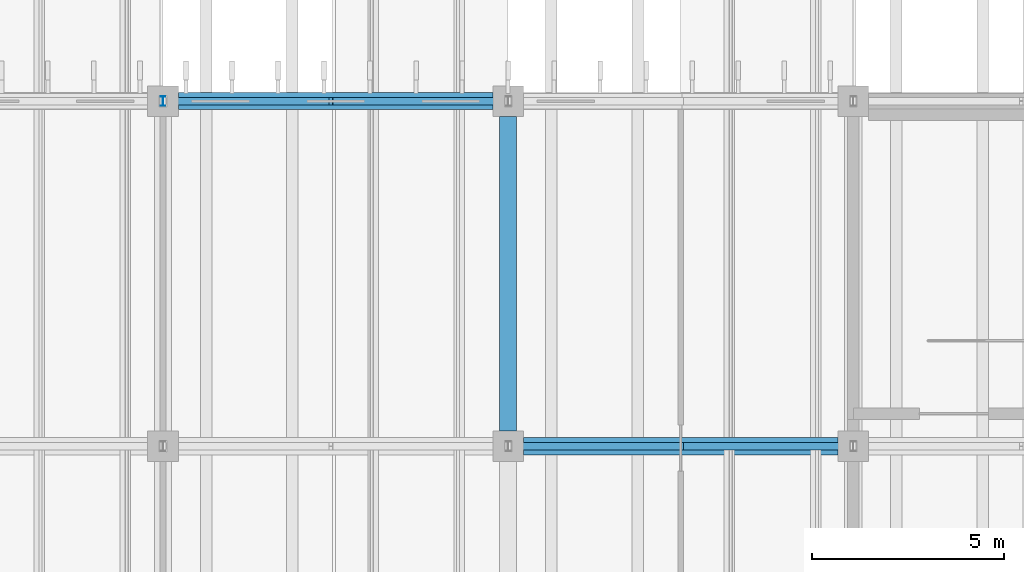
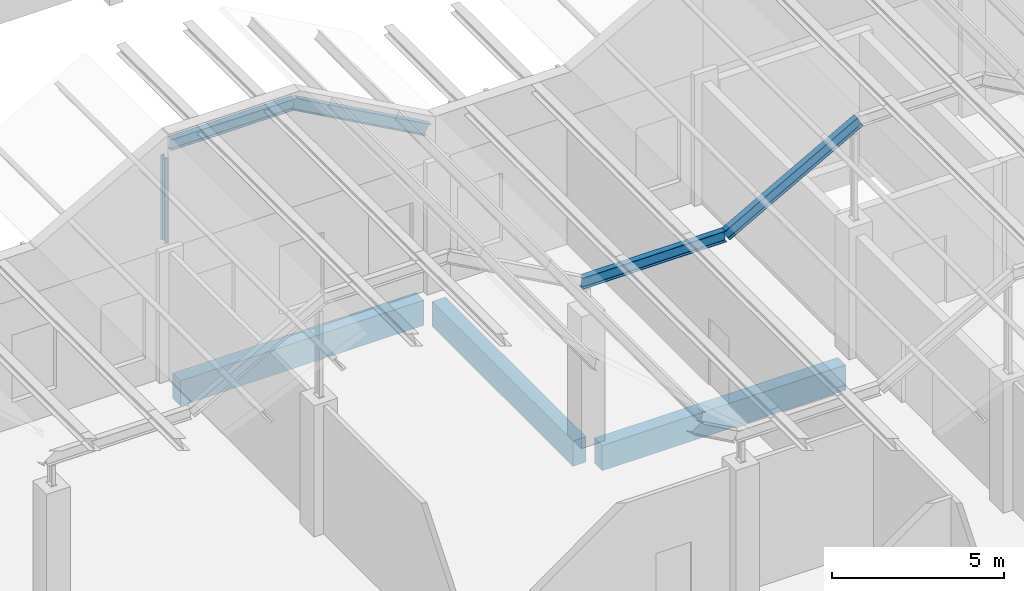
# One storey, part 67 of 437: 5 members, 3 beams.
"""IFC4 building model written with IfcOpenShell, lengths in metres."""

from ifc_helpers import new_model, si_unit, direction, frame, origin, origin_2d, place, context, subcontext, project, spatial, rectangle, i_section, extrude, material, material_profile, profile_set, type_object, element, save


model = new_model("IFC4")

# Units and contexts
model_context = context("Model", 3, precision=1e-05, world=origin(), true_north=direction((0.0, 1.0)))
body_context = subcontext(model_context, "Body", "Model", "MODEL_VIEW")
ifc_project = project(units=[si_unit("LENGTHUNIT", "METRE"), si_unit("AREAUNIT", "SQUARE_METRE"), si_unit("VOLUMEUNIT", "CUBIC_METRE"), si_unit("PLANEANGLEUNIT", "RADIAN"), si_unit("MASSUNIT", "GRAM", prefix="KILO")], contexts=[model_context])

# Site, building, storey
site_placement = place(None, origin())
site = spatial("IfcSite", under=ifc_project, at=site_placement, CompositionType="ELEMENT")
building_placement = place(site_placement, origin())
building = spatial("IfcBuilding", under=site, at=building_placement, Name="Opaline Strait Convention Centre", CompositionType="ELEMENT")
storey_placement = place(building_placement, frame((0.0, 0.0, 11.5)))
storey = spatial("IfcBuildingStorey", under=building, at=storey_placement, Name="L02", CompositionType="ELEMENT", Elevation=11.5)

# Beams
ifc_material_1 = material(Name="Concrete C35", Category="concrete")
ifc_material_profile_1 = material_profile(ifc_material_1, rectangle(XDim=0.449951171875, YDim=0.89990234375, at=origin_2d()), Name="RC 450x900")
ifc_profile_set_1 = profile_set([ifc_material_profile_1], Name="Concrete C35")
beam_type = type_object("IfcBeamType", Name="RC beam 450x900 C35", PredefinedType="BEAM", material=ifc_profile_set_1)
for number, where, z_axis, x_axis, name in (
    (1, (54.39990234375, 90.0, -0.72998046875), (1.0, 0.0, 0.0), (0.0, 1.0, 0.0), "XB1 L02 54/90-63/90"),
    (2, (45.39990234375, 99.0, -0.72998046875), (1.0, 0.0, 0.0), (0.0, 1.0, 0.0), "XB1 L02 45/99-54/99"),
    (3, (54.0, 90.39990234375, -0.72998046875), (0.0, 1.0, 0.0), (-1.0, 0.0, 0.0), "XB1 L02 54/90-54/99"),
):
    element("IfcBeam", number, at=place(storey_placement, frame(where, z_axis=z_axis, x_axis=x_axis)), inside=storey, type_object=beam_type, Name=name, PredefinedType="BEAM", context=body_context, shape_type="SweptSolid", body=[
        extrude(rectangle(XDim=0.449951171875, YDim=0.89990234375, at=origin_2d()), origin(), (0.0, 0.0, 1.0), 8.2001953125),
    ])

# Members
ifc_material_2 = material(Name="Steel Q355B", Category="steel")
ifc_material_profile_2 = material_profile(ifc_material_2, i_section(OverallWidth=0.125, OverallDepth=0.25, WebThickness=0.006103515625, FlangeThickness=0.009033203125, FilletRadius=0.008056640625, at=origin_2d()), Name="HN 250x125x6x9")
ifc_profile_set_2 = profile_set([ifc_material_profile_2], Name="Steel Q355B")
member_type_1 = type_object("IfcMemberType", Name="Roof post HN 250x125x6x9", PredefinedType="STRUT", material=ifc_profile_set_2)
member_1_placement = place(storey_placement, frame((45.0, 99.0, 4.68994140625), z_axis=(0.0, 0.0, 1.0), x_axis=(1.0, 0.0, 0.0)))
element("IfcMember", 4, at=member_1_placement, inside=storey, type_object=member_type_1, Name="RP1 roof post at 45/99", PredefinedType="STRUT", context=body_context, shape_type="SweptSolid", body=[
    extrude(i_section(OverallWidth=0.125, OverallDepth=0.25, WebThickness=0.006103515625, FlangeThickness=0.009033203125, FilletRadius=0.008056640625, at=origin_2d()), origin(), (0.0, 0.0, 1.0), 3.031005859375),
])
ifc_material_profile_3 = material_profile(ifc_material_2, i_section(OverallWidth=0.199951171875, OverallDepth=0.39990234375, WebThickness=0.008056640625, FlangeThickness=0.012939453125, FilletRadius=0.012939453125, at=origin_2d()), Name="HN 400x200x8x13")
ifc_profile_set_3 = profile_set([ifc_material_profile_3], Name="Steel Q355B")
member_type_2 = type_object("IfcMemberType", Name="Roof rafter HN 400x200x8x13", PredefinedType="RAFTER", material=ifc_profile_set_3)
member_2_placement = place(storey_placement, frame((53.83154296875, 90.0, 5.60009765625), z_axis=(1.0, 0.0, 0.0), x_axis=(0.0, 1.0, 0.0)))
element("IfcMember", 5, at=member_2_placement, inside=storey, type_object=member_type_2, Name="RR1 rafter line 10 facet 12", PredefinedType="RAFTER", context=body_context, shape_type="SweptSolid", body=[
    extrude(i_section(OverallWidth=0.199951171875, OverallDepth=0.39990234375, WebThickness=0.008056640625, FlangeThickness=0.012939453125, FilletRadius=0.012939453125, at=origin_2d()), origin(), (0.0, 0.0, 1.0), 4.8369140625),
])
member_3_placement = place(storey_placement, frame((58.66845703125, 90.0, 5.60009765625), z_axis=(0.874157276122, 0.0, 0.485642931179), x_axis=(0.0, 1.0, 0.0)))
element("IfcMember", 6, at=member_3_placement, inside=storey, type_object=member_type_2, Name="RR1 rafter line 10 facet 13", PredefinedType="RAFTER", context=body_context, shape_type="SweptSolid", body=[
    extrude(i_section(OverallWidth=0.199951171875, OverallDepth=0.39990234375, WebThickness=0.008056640625, FlangeThickness=0.012939453125, FilletRadius=0.012939453125, at=origin_2d()), origin(), (0.0, 0.0, 1.0), 5.147705078125),
])
member_4_placement = place(storey_placement, frame((45.16845703125, 99.0, 8.10009765625), z_axis=(1.0, 0.0, 0.0), x_axis=(0.0, 1.0, 0.0)))
element("IfcMember", 7, at=member_4_placement, inside=storey, type_object=member_type_2, Name="RR1 rafter line 11 facet 10", PredefinedType="RAFTER", context=body_context, shape_type="SweptSolid", body=[
    extrude(i_section(OverallWidth=0.199951171875, OverallDepth=0.39990234375, WebThickness=0.008056640625, FlangeThickness=0.012939453125, FilletRadius=0.012939453125, at=origin_2d()), origin(), (0.0, 0.0, 1.0), 4.1630859375),
])
member_5_placement = place(storey_placement, frame((49.33154296875, 99.0, 8.10009765625), z_axis=(0.874157276122, 0.0, -0.485642931179), x_axis=(0.0, 1.0, 0.0)))
element("IfcMember", 8, at=member_5_placement, inside=storey, type_object=member_type_2, Name="RR1 rafter line 11 facet 11", PredefinedType="RAFTER", context=body_context, shape_type="SweptSolid", body=[
    extrude(i_section(OverallWidth=0.199951171875, OverallDepth=0.39990234375, WebThickness=0.008056640625, FlangeThickness=0.012939453125, FilletRadius=0.012939453125, at=origin_2d()), origin(), (0.0, 0.0, 1.0), 5.147705078125),
])

save(model, "model.ifc")
